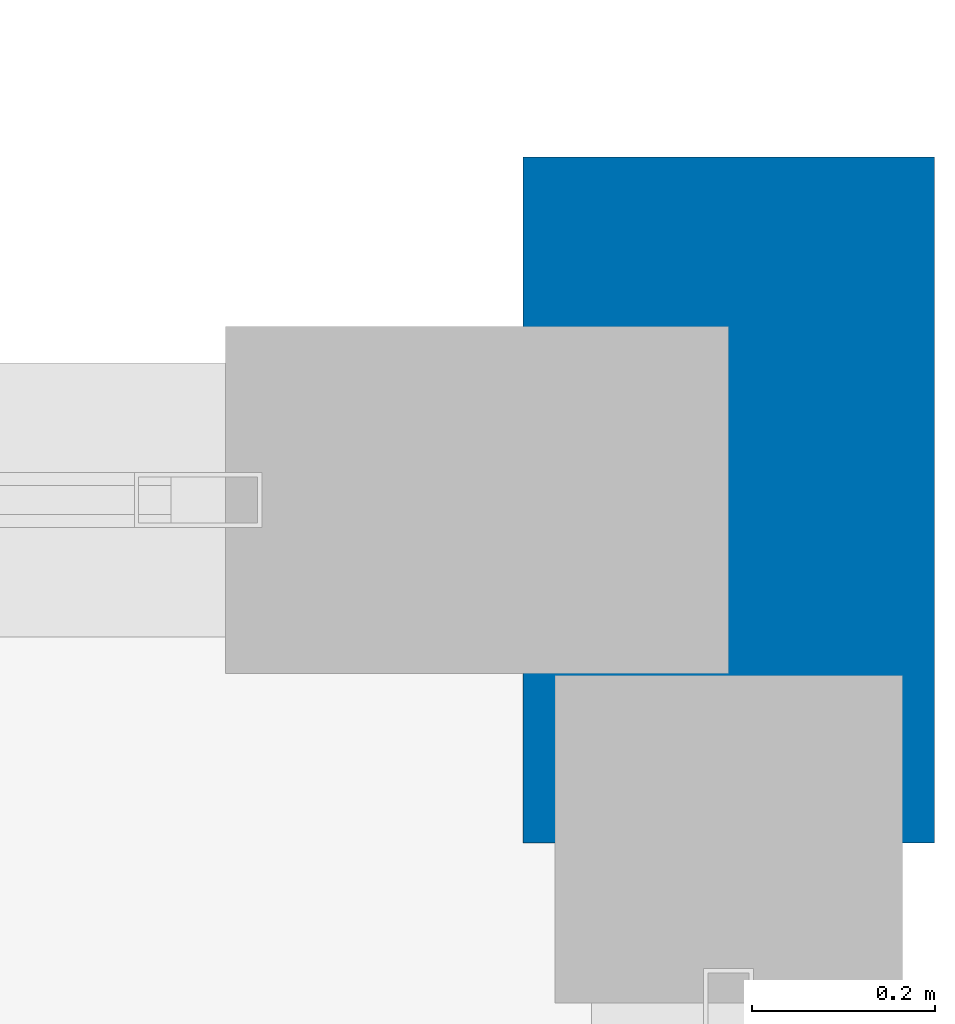
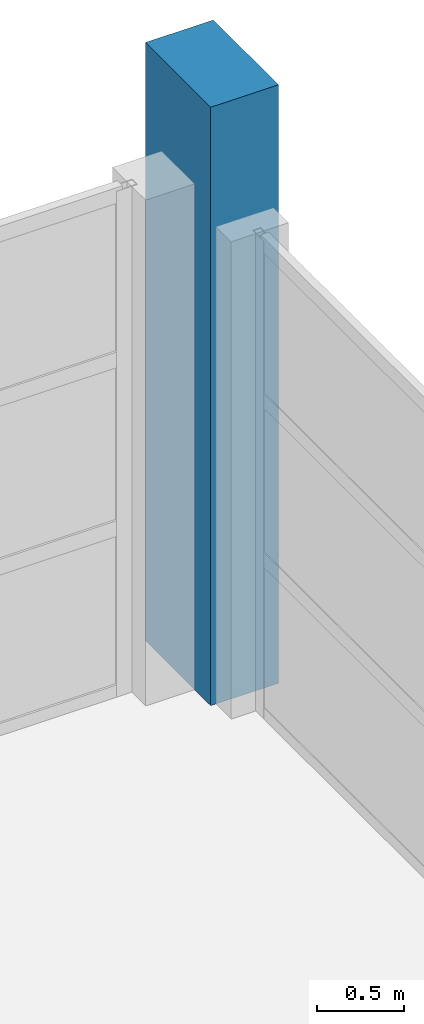
# One storey, part 26 of 147: 1 column.
"""IFC4 building model written with IfcOpenShell, lengths in metres."""

from ifc_helpers import new_model, si_unit, direction, frame, origin, origin_2d, place, context, subcontext, project, spatial, rectangle, extrude, material, material_profile, profile_set, type_object, element, save


model = new_model("IFC4")

# Units and contexts
model_context = context("Model", 3, precision=1e-05, world=origin(), true_north=direction((0.0, 1.0)))
body_context = subcontext(model_context, "Body", "Model", "MODEL_VIEW")
ifc_project = project(units=[si_unit("LENGTHUNIT", "METRE"), si_unit("AREAUNIT", "SQUARE_METRE"), si_unit("VOLUMEUNIT", "CUBIC_METRE"), si_unit("PLANEANGLEUNIT", "RADIAN"), si_unit("MASSUNIT", "GRAM", prefix="KILO")], contexts=[model_context])

# Site, building, storey
site_placement = place(None, origin())
site = spatial("IfcSite", under=ifc_project, at=site_placement, CompositionType="ELEMENT")
building_placement = place(site_placement, origin())
building = spatial("IfcBuilding", under=site, at=building_placement, Name="Zilviju Railside Exhibition Hall", CompositionType="ELEMENT")
storey_placement = place(building_placement, frame((0.0, 0.0, 8.39990234375)))
storey = spatial("IfcBuildingStorey", under=building, at=storey_placement, Name="L03", CompositionType="ELEMENT", Elevation=8.39990234375)

# Column
ifc_material = material(Name="Concrete C40/50", Category="concrete")
ifc_material_profile = material_profile(ifc_material, rectangle(XDim=0.449951171875, YDim=0.75, at=origin_2d()), Name="RC COL 450x750")
ifc_profile_set = profile_set([ifc_material_profile], Name="Concrete C40/50")
column_type = type_object("IfcColumnType", Name="PIL-RC-750x450", PredefinedType="PILASTER", material=ifc_profile_set)
column_placement = place(storey_placement, frame((216.0, 138.0, 0.0), z_axis=(0.0, 0.0, 1.0), x_axis=(1.0, 0.0, 0.0)))
element("IfcColumn", 1, at=column_placement, inside=storey, type_object=column_type, Name="Structural Column L03 (216.0, 138.0)", PredefinedType="PILASTER", context=body_context, shape_type="SweptSolid", body=[
    extrude(rectangle(XDim=0.449951171875, YDim=0.75, at=origin_2d()), origin(), (0.0, 0.0, 1.0), 4.2001953125),
])

save(model, "model.ifc")
